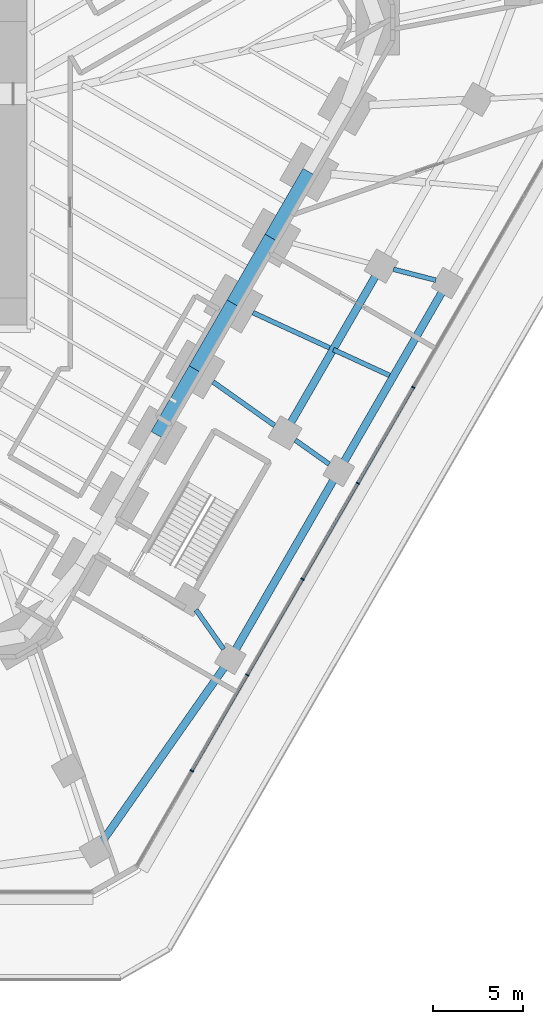
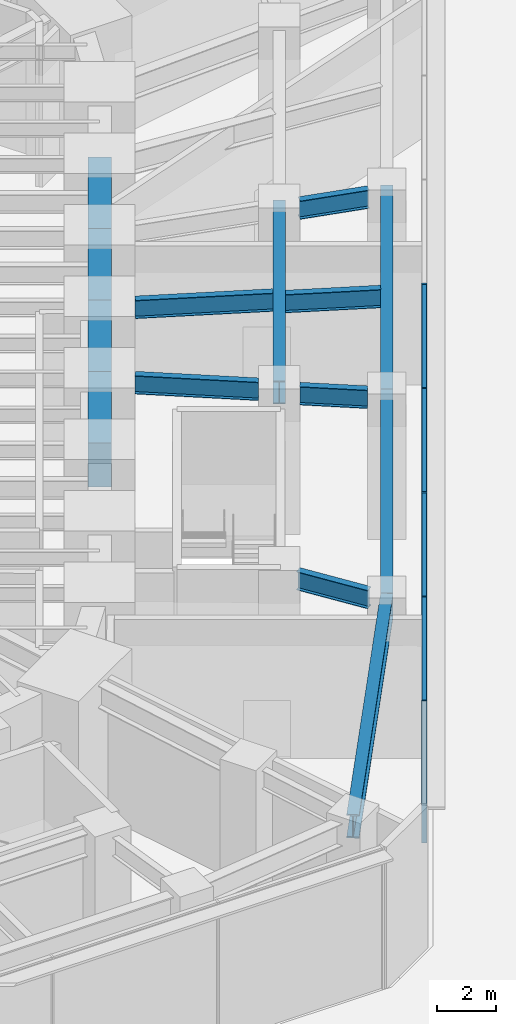
# One storey, part 7 of 25: 14 beams, 9 members, 1 element without a shape of its own.
"""IFC4 building model written with IfcOpenShell, lengths in metres."""

from ifc_helpers import new_model, si_unit, direction, frame, origin, origin_2d, place, context, subcontext, project, spatial, rectangle, i_section, extrude, material, material_profile, profile_set, type_object, element, aggregate, save


model = new_model("IFC4")

# Units and contexts
model_context = context("Model", 3, precision=1e-05, world=origin(), true_north=direction((0.0, 1.0)))
body_context = subcontext(model_context, "Body", "Model", "MODEL_VIEW")
ifc_project = project(units=[si_unit("LENGTHUNIT", "METRE"), si_unit("AREAUNIT", "SQUARE_METRE"), si_unit("VOLUMEUNIT", "CUBIC_METRE"), si_unit("PLANEANGLEUNIT", "RADIAN"), si_unit("MASSUNIT", "GRAM", prefix="KILO")], contexts=[model_context])

# Site, building, storey
site_placement = place(None, origin())
site = spatial("IfcSite", under=ifc_project, at=site_placement, CompositionType="ELEMENT")
building_placement = place(site_placement, origin())
building = spatial("IfcBuilding", under=site, at=building_placement, Name="Sandreach Pilgrim Tower", CompositionType="ELEMENT")
storey_placement = place(building_placement, frame((0.0, 0.0, 6.0)))
storey = spatial("IfcBuildingStorey", under=building, at=storey_placement, Name="L01", CompositionType="ELEMENT", Elevation=6.0)

# Curtain wall, members
ifc_material_1 = material(Name="Aluminium framed curtain wall", Category="aluminium")
curtain_wall_type = type_object("IfcCurtainWallType", Name="Podium storefront curtain wall", PredefinedType="NOTDEFINED", material=ifc_material_1)
curtain_wall_placement = place(storey_placement, origin())
curtain_wall = element("IfcCurtainWall", 1, at=curtain_wall_placement, inside=storey, type_object=curtain_wall_type, Name="CW-P L01 SE", PredefinedType="NOTDEFINED")
ifc_material_2 = material(Name="Aluminium extrusion", Category="aluminium")
ifc_material_profile_1 = material_profile(ifc_material_2, rectangle(XDim=0.070068359375, YDim=0.199951171875, at=origin_2d()), Name="CW-PM 70X200")
ifc_profile_set_1 = profile_set([ifc_material_profile_1], Name="Aluminium extrusion")
member_type_1 = type_object("IfcMemberType", Name="CW-P mullion", PredefinedType="MULLION", material=ifc_profile_set_1)
member_1_placement = place(storey_placement, frame((30.674072265625, -14.167236328125, 0.0), z_axis=(0.0, 0.0, 1.0), x_axis=(-0.5, -0.866025403784, 0.0)))
member_1 = element("IfcMember", 2, at=member_1_placement, type_object=member_type_1, Name="CW-P mullion 5", PredefinedType="MULLION", context=body_context, shape_type="SweptSolid", body=[
    extrude(rectangle(XDim=0.070068359375, YDim=0.199951171875, at=origin_2d()), origin(), (0.0, 0.0, 1.0), 5.840087890625),
])
member_2_placement = place(storey_placement, frame((27.606201171875, -19.48095703125, 0.0), z_axis=(0.0, 0.0, 1.0), x_axis=(-0.5, -0.866025403784, 0.0)))
member_2 = element("IfcMember", 3, at=member_2_placement, type_object=member_type_1, Name="CW-P mullion 6", PredefinedType="MULLION", context=body_context, shape_type="SweptSolid", body=[
    extrude(rectangle(XDim=0.070068359375, YDim=0.199951171875, at=origin_2d()), origin(), (0.0, 0.0, 1.0), 5.840087890625),
])
member_3_placement = place(storey_placement, frame((24.53857421875, -24.79443359375, 0.0), z_axis=(0.0, 0.0, 1.0), x_axis=(-0.5, -0.866025403784, 0.0)))
member_3 = element("IfcMember", 4, at=member_3_placement, type_object=member_type_1, Name="CW-P mullion 7", PredefinedType="MULLION", context=body_context, shape_type="SweptSolid", body=[
    extrude(rectangle(XDim=0.070068359375, YDim=0.199951171875, at=origin_2d()), origin(), (0.0, 0.0, 1.0), 5.840087890625),
])
member_4_placement = place(storey_placement, frame((21.470703125, -30.108154296875, 0.0), z_axis=(0.0, 0.0, 1.0), x_axis=(-0.5, -0.866025403784, 0.0)))
member_4 = element("IfcMember", 5, at=member_4_placement, type_object=member_type_1, Name="CW-P mullion 8", PredefinedType="MULLION", context=body_context, shape_type="SweptSolid", body=[
    extrude(rectangle(XDim=0.070068359375, YDim=0.199951171875, at=origin_2d()), origin(), (0.0, 0.0, 1.0), 5.840087890625),
])
member_5_placement = place(storey_placement, frame((18.40283203125, -35.421630859375, 0.0), z_axis=(0.0, 0.0, 1.0), x_axis=(-0.5, -0.866025403784, 0.0)))
member_5 = element("IfcMember", 6, at=member_5_placement, type_object=member_type_1, Name="CW-P mullion 9", PredefinedType="MULLION", context=body_context, shape_type="SweptSolid", body=[
    extrude(rectangle(XDim=0.070068359375, YDim=0.199951171875, at=origin_2d()), origin(), (0.0, 0.0, 1.0), 5.840087890625),
])
ifc_material_3 = material(Name="Aluminium extrusion", Category="aluminium")
ifc_material_profile_2 = material_profile(ifc_material_3, rectangle(XDim=0.159912109375, YDim=0.070068359375, at=origin_2d()), Name="CW-PT 160X70")
ifc_profile_set_2 = profile_set([ifc_material_profile_2], Name="Aluminium extrusion")
member_type_2 = type_object("IfcMemberType", Name="CW-P transom", PredefinedType="USERDEFINED", material=ifc_profile_set_2)
member_6_placement = place(storey_placement, frame((30.656494140625, -14.197509765625, 5.804931640625), z_axis=(-0.499974469505, -0.866040143321, 0.0), x_axis=(0.866040143321, -0.499974469505, 0.0)))
member_6 = element("IfcMember", 7, at=member_6_placement, type_object=member_type_2, Name="CW-P head transom 5", ObjectType="TRANSOM", PredefinedType="USERDEFINED", context=body_context, shape_type="SweptSolid", body=[
    extrude(rectangle(XDim=0.159912109375, YDim=0.070068359375, at=origin_2d()), origin(), (0.0, 0.0, 1.0), 6.065673828125),
])
member_7_placement = place(storey_placement, frame((27.5888671875, -19.51123046875, 5.804931640625), z_axis=(-0.500022085096, -0.866012652573, 0.0), x_axis=(0.866012652573, -0.500022085096, 0.0)))
member_7 = element("IfcMember", 8, at=member_7_placement, type_object=member_type_2, Name="CW-P head transom 6", ObjectType="TRANSOM", PredefinedType="USERDEFINED", context=body_context, shape_type="SweptSolid", body=[
    extrude(rectangle(XDim=0.159912109375, YDim=0.070068359375, at=origin_2d()), origin(), (0.0, 0.0, 1.0), 6.065673828125),
])
member_8_placement = place(storey_placement, frame((24.52099609375, -24.82470703125, 5.804931640625), z_axis=(-0.499991897794, -0.866030081544, 0.0), x_axis=(0.866030081544, -0.499991897794, 0.0)))
member_8 = element("IfcMember", 9, at=member_8_placement, type_object=member_type_2, Name="CW-P head transom 7", ObjectType="TRANSOM", PredefinedType="USERDEFINED", context=body_context, shape_type="SweptSolid", body=[
    extrude(rectangle(XDim=0.159912109375, YDim=0.070068359375, at=origin_2d()), origin(), (0.0, 0.0, 1.0), 6.0654296875),
])
member_9_placement = place(storey_placement, frame((21.453125, -30.138427734375, 5.804931640625), z_axis=(-0.499991897794, -0.866030081544, 0.0), x_axis=(0.866030081544, -0.499991897794, 0.0)))
member_9 = element("IfcMember", 10, at=member_9_placement, type_object=member_type_2, Name="CW-P head transom 8", ObjectType="TRANSOM", PredefinedType="USERDEFINED", context=body_context, shape_type="SweptSolid", body=[
    extrude(rectangle(XDim=0.159912109375, YDim=0.070068359375, at=origin_2d()), origin(), (0.0, 0.0, 1.0), 6.0654296875),
])
aggregate(curtain_wall, [member_1, member_2, member_3, member_4, member_5, member_6, member_7, member_8, member_9])

# Beams
ifc_material_4 = material(Name="Steel ASTM A992 Grade 50", Category="steel")
ifc_material_profile_3 = material_profile(ifc_material_4, i_section(OverallWidth=0.2666015625, OverallDepth=0.7568359375, WebThickness=0.013916015625, FlangeThickness=0.019287109375, at=origin_2d()), Name="W30X108")
ifc_profile_set_3 = profile_set([ifc_material_profile_3], Name="Steel ASTM A992 Grade 50")
beam_type_1 = type_object("IfcBeamType", Name="Podium beam W30X108", PredefinedType="BEAM", material=ifc_profile_set_3)
beam_1_placement = place(storey_placement, frame((21.791748046875, -10.02294921875, 5.46142578125), z_axis=(0.908519391359, -0.417842692319, 0.0), x_axis=(0.417842692319, 0.908519391359, 0.0)))
element("IfcBeam", 11, at=beam_1_placement, inside=storey, type_object=beam_type_1, Name="BM L01 PR125-17", PredefinedType="BEAM", context=body_context, shape_type="SweptSolid", body=[
    extrude(i_section(OverallWidth=0.2666015625, OverallDepth=0.7568359375, WebThickness=0.013916015625, FlangeThickness=0.019287109375, at=origin_2d()), origin(), (0.0, 0.0, 1.0), 4.676025390625),
])
beam_2_placement = place(storey_placement, frame((19.575927734375, -13.86083984375, 5.46142578125), z_axis=(0.81612528813, -0.577874998659, 0.0), x_axis=(0.577874998659, 0.81612528813, 0.0)))
element("IfcBeam", 12, at=beam_2_placement, inside=storey, type_object=beam_type_1, Name="BM L01 PR125-18", PredefinedType="BEAM", context=body_context, shape_type="SweptSolid", body=[
    extrude(i_section(OverallWidth=0.2666015625, OverallDepth=0.7568359375, WebThickness=0.013916015625, FlangeThickness=0.019287109375, at=origin_2d()), origin(), (0.0, 0.0, 1.0), 4.18798828125),
])
beam_3_placement = place(storey_placement, frame((29.577880859375, -7.6201171875, 5.37158203125), z_axis=(0.968395055224, -0.249421364395, 0.0), x_axis=(0.249421364395, 0.968395055224, 0.0)))
element("IfcBeam", 13, at=beam_3_placement, inside=storey, type_object=beam_type_1, Name="BM L01 PR140-16", PredefinedType="BEAM", context=body_context, shape_type="SweptSolid", body=[
    extrude(i_section(OverallWidth=0.2666015625, OverallDepth=0.7568359375, WebThickness=0.013916015625, FlangeThickness=0.019287109375, at=origin_2d()), origin(), (0.0, 0.0, 1.0), 2.425537109375),
])
beam_4_placement = place(storey_placement, frame((26.24365234375, -12.070556640625, 5.37158203125), z_axis=(0.908525605397, -0.417829180812, 0.0), x_axis=(0.417829180812, 0.908525605397, 0.0)))
element("IfcBeam", 14, at=beam_4_placement, inside=storey, type_object=beam_type_1, Name="BM L01 PR140-17", PredefinedType="BEAM", context=body_context, shape_type="SweptSolid", body=[
    extrude(i_section(OverallWidth=0.2666015625, OverallDepth=0.7568359375, WebThickness=0.013916015625, FlangeThickness=0.019287109375, at=origin_2d()), origin(), (0.0, 0.0, 1.0), 3.427490234375),
])
beam_5_placement = place(storey_placement, frame((24.13671875, -17.090087890625, 5.37158203125), z_axis=(0.816161980963, -0.577823174363, 0.0), x_axis=(0.577823174363, 0.816161980963, 0.0)))
element("IfcBeam", 15, at=beam_5_placement, inside=storey, type_object=beam_type_1, Name="BM L01 PR140-18", PredefinedType="BEAM", context=body_context, shape_type="SweptSolid", body=[
    extrude(i_section(OverallWidth=0.2666015625, OverallDepth=0.7568359375, WebThickness=0.013916015625, FlangeThickness=0.019287109375, at=origin_2d()), origin(), (0.0, 0.0, 1.0), 2.302734375),
])
beam_6_placement = place(storey_placement, frame((18.63330078125, -26.498046875, 5.37158203125), z_axis=(0.575161395931, -0.8180399554, 0.0), x_axis=(0.8180399554, 0.575161395931, 0.0)))
element("IfcBeam", 16, at=beam_6_placement, inside=storey, type_object=beam_type_1, Name="BM L01 PR140-20", PredefinedType="BEAM", context=body_context, shape_type="SweptSolid", body=[
    extrude(i_section(OverallWidth=0.2666015625, OverallDepth=0.7568359375, WebThickness=0.013916015625, FlangeThickness=0.019287109375, at=origin_2d()), origin(), (0.0, 0.0, 1.0), 2.65966796875),
])
ifc_material_5 = material(Name="Steel ASTM A992 Grade 50", Category="steel")
ifc_material_profile_4 = material_profile(ifc_material_5, i_section(OverallWidth=0.424072265625, OverallDepth=0.947509765625, WebThickness=0.02392578125, FlangeThickness=0.042724609375, at=origin_2d()), Name="W36X302")
ifc_profile_set_4 = profile_set([ifc_material_profile_4], Name="Steel ASTM A992 Grade 50")
beam_type_2 = type_object("IfcBeamType", Name="Podium edge beam W36X302", PredefinedType="BEAM", material=ifc_profile_set_4)
beam_7_placement = place(storey_placement, frame((28.900146484375, -7.4453125, 5.3662109375), z_axis=(-0.499990509939, -0.866030882805, 0.0), x_axis=(0.866030882805, -0.499990509939, 0.0)))
element("IfcBeam", 17, at=beam_7_placement, inside=storey, type_object=beam_type_2, Name="BM L01 PE125-16", PredefinedType="BEAM", context=body_context, shape_type="SweptSolid", body=[
    extrude(i_section(OverallWidth=0.424072265625, OverallDepth=0.947509765625, WebThickness=0.02392578125, FlangeThickness=0.042724609375, at=origin_2d()), origin(), (0.0, 0.0, 1.0), 10.669677734375),
])
ifc_material_6 = material(Name="Steel ASTM A992 Grade 50", Category="steel")
ifc_material_profile_5 = material_profile(ifc_material_6, i_section(OverallWidth=0.4267578125, OverallDepth=0.975341796875, WebThickness=0.031005859375, FlangeThickness=0.055908203125, at=origin_2d()), Name="W36X395")
ifc_profile_set_5 = profile_set([ifc_material_profile_5], Name="Steel ASTM A992 Grade 50")
beam_type_3 = type_object("IfcBeamType", Name="Podium edge beam W36X395", PredefinedType="BEAM", material=ifc_profile_set_5)
for number, where, z_axis, x_axis, name in (
    (18, (32.55615234375, -8.38720703125, 5.26220703125), (-0.499986196583, -0.866033373045, 0.0), (0.866033373045, -0.499986196583, 0.0), "BM L01 PE140-16"),
    (19, (26.546630859375, -18.79638671875, 5.26220703125), (-0.500010226345, -0.866019499521, 0.0), (0.866019499521, -0.500010226345, 0.0), "BM L01 PE140-18"),
):
    element("IfcBeam", number, at=place(storey_placement, frame(where, z_axis=z_axis, x_axis=x_axis)), inside=storey, type_object=beam_type_3, Name=name, PredefinedType="BEAM", context=body_context, shape_type="SweptSolid", body=[
        extrude(i_section(OverallWidth=0.4267578125, OverallDepth=0.975341796875, WebThickness=0.031005859375, FlangeThickness=0.055908203125, at=origin_2d()), origin(), (0.0, 0.0, 1.0), 12.019287109375),
    ])
beam_8_placement = place(storey_placement, frame((20.536865234375, -29.205322265625, 5.26220703125), z_axis=(-0.574032241391, -0.818832697102, 0.0), x_axis=(0.818832697102, -0.574032241391, 0.0)))
element("IfcBeam", 20, at=beam_8_placement, inside=storey, type_object=beam_type_3, Name="BM L01 PE140-20", PredefinedType="BEAM", context=body_context, shape_type="SweptSolid", body=[
    extrude(i_section(OverallWidth=0.4267578125, OverallDepth=0.975341796875, WebThickness=0.031005859375, FlangeThickness=0.055908203125, at=origin_2d()), origin(), (0.0, 0.0, 1.0), 13.07861328125),
])
ifc_material_7 = material(Name="Concrete 10000 psi", Category="concrete")
ifc_material_profile_6 = material_profile(ifc_material_7, rectangle(XDim=0.800048828125, YDim=1.800048828125, at=origin_2d()), Name="RC800X1800")
ifc_profile_set_6 = profile_set([ifc_material_profile_6], Name="Concrete 10000 psi")
beam_type_4 = type_object("IfcBeamType", Name="Spandrel beam RC800X1800", PredefinedType="SPANDREL", material=ifc_profile_set_6)
beam_9_placement = place(storey_placement, frame((24.911376953125, -2.229736328125, 4.93994140625), z_axis=(-0.50001863446, -0.866014644907, 0.0), x_axis=(0.866014644907, -0.50001863446, 0.0)))
element("IfcBeam", 21, at=beam_9_placement, inside=storey, type_object=beam_type_4, Name="BM L01 SP15", PredefinedType="SPANDREL", context=body_context, shape_type="SweptSolid", body=[
    extrude(rectangle(XDim=0.800048828125, YDim=1.800048828125, at=origin_2d()), origin(), (0.0, 0.0, 1.0), 4.209716796875),
])
beam_10_placement = place(storey_placement, frame((22.806396484375, -5.87548828125, 4.93994140625), z_axis=(-0.499993523031, -0.866029143232, 0.0), x_axis=(0.866029143232, -0.499993523031, 0.0)))
element("IfcBeam", 22, at=beam_10_placement, inside=storey, type_object=beam_type_4, Name="BM L01 SP16", PredefinedType="SPANDREL", context=body_context, shape_type="SweptSolid", body=[
    extrude(rectangle(XDim=0.800048828125, YDim=1.800048828125, at=origin_2d()), origin(), (0.0, 0.0, 1.0), 4.2099609375),
])
beam_11_placement = place(storey_placement, frame((20.701416015625, -9.521484375, 4.93994140625), z_axis=(-0.50001863446, -0.866014644907, 0.0), x_axis=(0.866014644907, -0.50001863446, 0.0)))
element("IfcBeam", 23, at=beam_11_placement, inside=storey, type_object=beam_type_4, Name="BM L01 SP17", PredefinedType="SPANDREL", context=body_context, shape_type="SweptSolid", body=[
    extrude(rectangle(XDim=0.800048828125, YDim=1.800048828125, at=origin_2d()), origin(), (0.0, 0.0, 1.0), 4.209716796875),
])
beam_12_placement = place(storey_placement, frame((18.596435546875, -13.167236328125, 4.93994140625), z_axis=(-0.499993523031, -0.866029143232, 0.0), x_axis=(0.866029143232, -0.499993523031, 0.0)))
element("IfcBeam", 24, at=beam_12_placement, inside=storey, type_object=beam_type_4, Name="BM L01 SP18", PredefinedType="SPANDREL", context=body_context, shape_type="SweptSolid", body=[
    extrude(rectangle(XDim=0.800048828125, YDim=1.800048828125, at=origin_2d()), origin(), (0.0, 0.0, 1.0), 4.2099609375),
])

save(model, "model.ifc")
